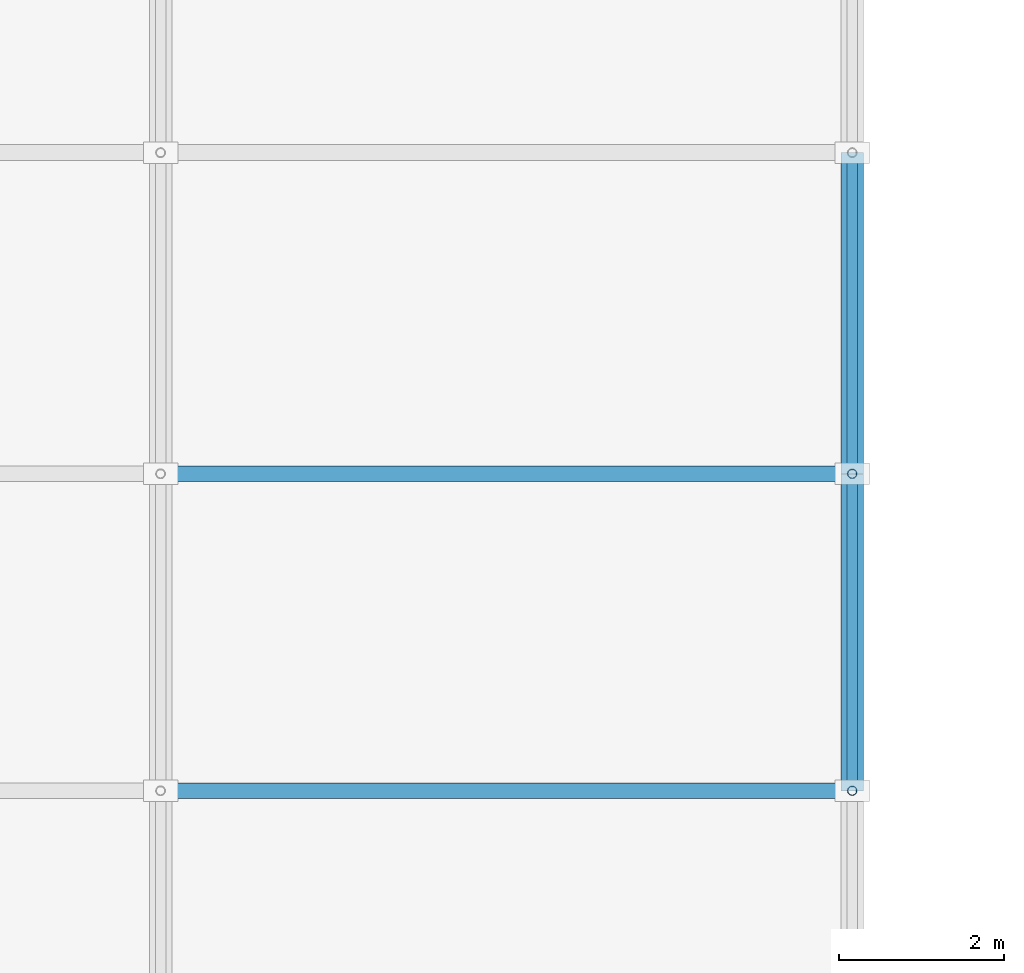
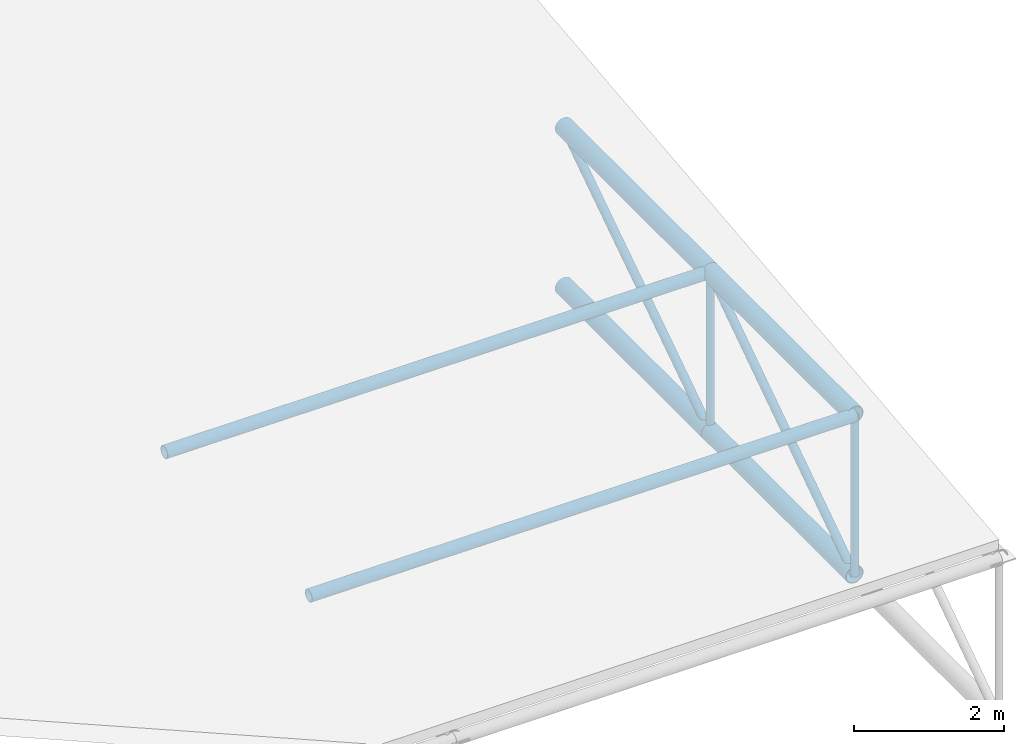
# One storey, part 34 of 140: 6 members, 4 beams.
"""IFC4 building model written with IfcOpenShell, lengths in metres."""

from ifc_helpers import new_model, si_unit, direction, frame, origin, origin_2d, place, context, subcontext, project, spatial, hollow_circle, extrude, material, material_profile, profile_set, type_object, element, save


model = new_model("IFC4")

# Units and contexts
model_context = context("Model", 3, precision=1e-05, world=origin(), true_north=direction((0.0, 1.0)))
body_context = subcontext(model_context, "Body", "Model", "MODEL_VIEW")
ifc_project = project(units=[si_unit("LENGTHUNIT", "METRE"), si_unit("AREAUNIT", "SQUARE_METRE"), si_unit("VOLUMEUNIT", "CUBIC_METRE"), si_unit("PLANEANGLEUNIT", "RADIAN"), si_unit("MASSUNIT", "GRAM", prefix="KILO")], contexts=[model_context])

# Site, building, storey
site_placement = place(None, origin())
site = spatial("IfcSite", under=ifc_project, at=site_placement, CompositionType="ELEMENT")
building_placement = place(site_placement, origin())
building = spatial("IfcBuilding", under=site, at=building_placement, Name="Varnapada Polytechnic", CompositionType="ELEMENT")
storey_placement = place(building_placement, frame((0.0, 0.0, 13.800048828125)))
storey = spatial("IfcBuildingStorey", under=building, at=storey_placement, Name="L03", CompositionType="ELEMENT", Elevation=13.800048828125)

# Members
ifc_material = material(Name="Steel S355", Category="steel")
ifc_material_profile_1 = material_profile(ifc_material, hollow_circle(Radius=0.096923828125, WallThickness=0.00634765625, at=origin_2d()), Name="CHS 193.7x6.3")
ifc_profile_set_1 = profile_set([ifc_material_profile_1], Name="Steel S355")
member_type_1 = type_object("IfcMemberType", Name="Canopy space frame longitudinal chord SFC-03 (CHS 193.7x6.3)", PredefinedType="CHORD", material=ifc_profile_set_1)
for number, where, z_axis, x_axis, name in (
    (1, (100.800048828125, 12.89990234375, -1.35009765625), (1.0, 0.0, 0.0), (0.0, 1.0, 0.0), "Entrance canopy longitudinal chord 4.4"),
    (2, (100.800048828125, 9.050048828125, -1.35009765625), (1.0, 0.0, 0.0), (0.0, 1.0, 0.0), "Entrance canopy longitudinal chord 4.5"),
):
    element("IfcMember", number, at=place(storey_placement, frame(where, z_axis=z_axis, x_axis=x_axis)), inside=storey, type_object=member_type_1, Name=name, PredefinedType="CHORD", context=body_context, shape_type="SweptSolid", body=[
        extrude(hollow_circle(Radius=0.096923828125, WallThickness=0.00634765625, at=origin_2d()), origin(), (0.0, 0.0, 1.0), 8.39990234375),
    ])
ifc_material_profile_2 = material_profile(ifc_material, hollow_circle(Radius=0.05712890625, WallThickness=0.0048828125, at=origin_2d()), Name="CHS 114.3x5.0")
ifc_profile_set_2 = profile_set([ifc_material_profile_2], Name="Steel S355")
member_type_2 = type_object("IfcMemberType", Name="Canopy space frame web strut SFS-02 (CHS 114.3x5.0)", PredefinedType="STRUT", material=ifc_profile_set_2)
for number, where, z_axis, x_axis, name in (
    (3, (109.199951171875, 12.89990234375, -3.949951171875), (0.0, 0.0, 1.0), (1.0, 0.0, 0.0), "Entrance canopy space frame post 5.4"),
    (4, (109.199951171875, 9.050048828125, -3.949951171875), (0.0, 0.0, 1.0), (1.0, 0.0, 0.0), "Entrance canopy space frame post 5.5"),
):
    element("IfcMember", number, at=place(storey_placement, frame(where, z_axis=z_axis, x_axis=x_axis)), inside=storey, type_object=member_type_2, Name=name, PredefinedType="STRUT", context=body_context, shape_type="SweptSolid", body=[
        extrude(hollow_circle(Radius=0.05712890625, WallThickness=0.0048828125, at=origin_2d()), origin(), (0.0, 0.0, 1.0), 2.599853515625),
    ])
ifc_material_profile_3 = material_profile(ifc_material, hollow_circle(Radius=0.0634765625, WallThickness=0.0048828125, at=origin_2d()), Name="CHS 127.0x5.0")
ifc_profile_set_3 = profile_set([ifc_material_profile_3], Name="Steel S355")
member_type_3 = type_object("IfcMemberType", Name="Canopy web diagonal SFB-04 (CHS 127.0x5.0)", PredefinedType="BRACE", material=ifc_profile_set_3)
member_1_placement = place(storey_placement, frame((109.199951171875, 16.800048828125, -1.35009765625), z_axis=(0.0, -0.832074333263, -0.554664136145), x_axis=(1.0, 0.0, 0.0)))
element("IfcMember", 5, at=member_1_placement, inside=storey, type_object=member_type_3, Name="Entrance canopy space frame web brace 5.3", PredefinedType="BRACE", context=body_context, shape_type="SweptSolid", body=[
    extrude(hollow_circle(Radius=0.0634765625, WallThickness=0.0048828125, at=origin_2d()), origin(), (0.0, 0.0, 1.0), 4.687255859375),
])
member_2_placement = place(storey_placement, frame((109.199951171875, 12.89990234375, -1.35009765625), z_axis=(0.0, -0.828728630838, -0.559650655704), x_axis=(1.0, 0.0, 0.0)))
element("IfcMember", 6, at=member_2_placement, inside=storey, type_object=member_type_3, Name="Entrance canopy space frame web brace 5.4", PredefinedType="BRACE", context=body_context, shape_type="SweptSolid", body=[
    extrude(hollow_circle(Radius=0.0634765625, WallThickness=0.0048828125, at=origin_2d()), origin(), (0.0, 0.0, 1.0), 4.6455078125),
])

# Beams
ifc_material_profile_4 = material_profile(ifc_material, hollow_circle(Radius=0.136474609375, WallThickness=0.010009765625, at=origin_2d()), Name="CHS 273.0x10.0")
ifc_profile_set_4 = profile_set([ifc_material_profile_4], Name="Steel S355")
beam_type = type_object("IfcBeamType", Name="Vaulted space frame canopy chord beam VA-03 (CHS 273.0x10.0)", PredefinedType="BEAM", material=ifc_profile_set_4)
for number, where, z_axis, x_axis, name in (
    (7, (109.199951171875, 16.800048828125, -3.949951171875), (0.0, -1.0, 0.0), (1.0, 0.0, 0.0), "Entrance canopy space frame bottom chord 5.3"),
    (8, (109.199951171875, 16.800048828125, -1.35009765625), (0.0, -1.0, 0.0), (1.0, 0.0, 0.0), "Entrance canopy space frame top chord 5.3"),
):
    element("IfcBeam", number, at=place(storey_placement, frame(where, z_axis=z_axis, x_axis=x_axis)), inside=storey, type_object=beam_type, Name=name, PredefinedType="BEAM", context=body_context, shape_type="SweptSolid", body=[
        extrude(hollow_circle(Radius=0.136474609375, WallThickness=0.010009765625, at=origin_2d()), origin(), (0.0, 0.0, 1.0), 3.900146484375),
    ])
for number, where, z_axis, x_axis, name in (
    (9, (109.199951171875, 12.89990234375, -3.949951171875), (0.0, -1.0, 0.0), (1.0, 0.0, 0.0), "Entrance canopy space frame bottom chord 5.4"),
    (10, (109.199951171875, 12.89990234375, -1.35009765625), (0.0, -1.0, 0.0), (1.0, 0.0, 0.0), "Entrance canopy space frame top chord 5.4"),
):
    element("IfcBeam", number, at=place(storey_placement, frame(where, z_axis=z_axis, x_axis=x_axis)), inside=storey, type_object=beam_type, Name=name, PredefinedType="BEAM", context=body_context, shape_type="SweptSolid", body=[
        extrude(hollow_circle(Radius=0.136474609375, WallThickness=0.010009765625, at=origin_2d()), origin(), (0.0, 0.0, 1.0), 3.849853515625),
    ])

save(model, "model.ifc")
